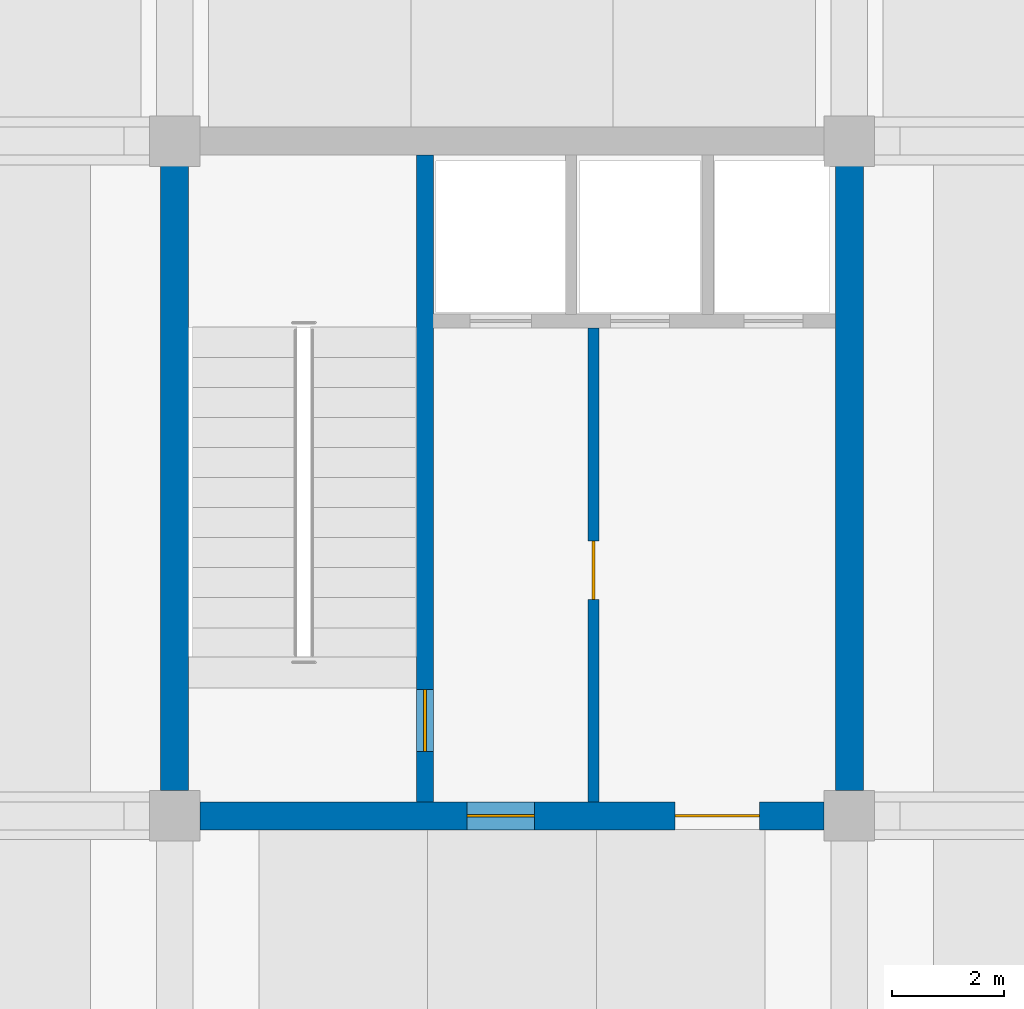
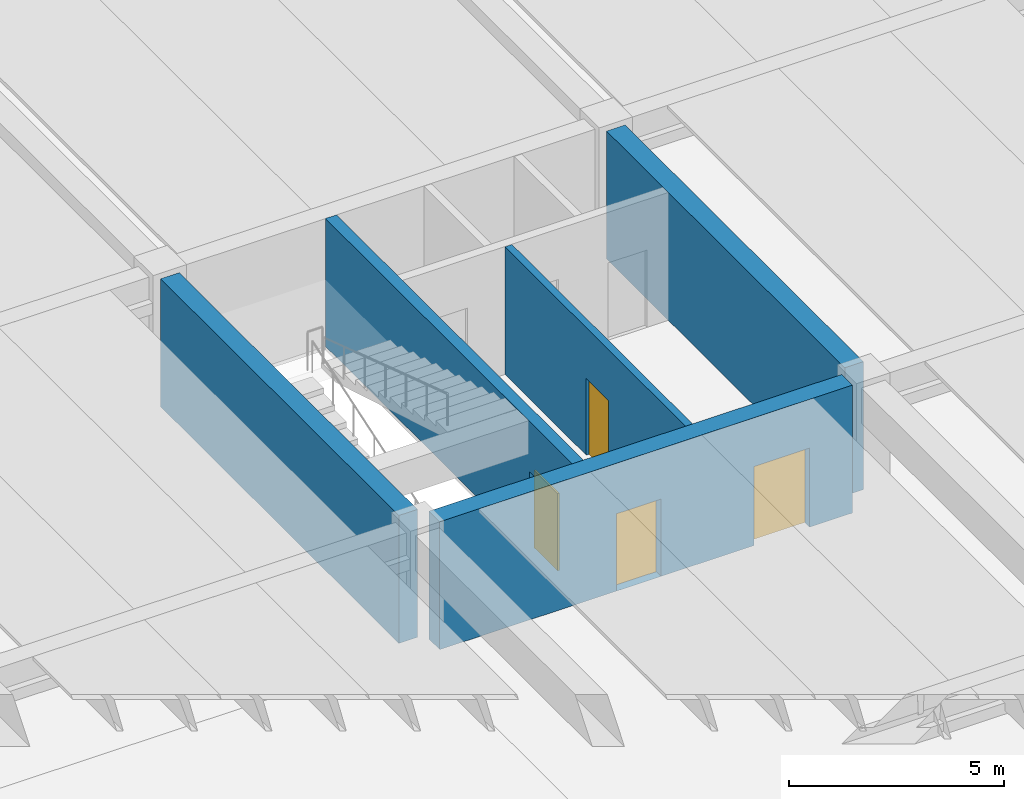
# One storey, part 9 of 19: 5 walls, 4 doors, 4 openings.
"""IFC4 building model written with IfcOpenShell, lengths in metres."""

from ifc_helpers import new_model, si_unit, direction, frame, frame_2d, origin, place, context, subcontext, project, spatial, rectangle, extrude, material, layer, layer_set, type_object, element, fill, save


model = new_model("IFC4")

# Units and contexts
model_context = context("Model", 3, precision=1e-05, world=origin(), true_north=direction((0.0, 1.0)))
body_context = subcontext(model_context, "Body", "Model", "MODEL_VIEW")
ifc_project = project(units=[si_unit("LENGTHUNIT", "METRE"), si_unit("AREAUNIT", "SQUARE_METRE"), si_unit("VOLUMEUNIT", "CUBIC_METRE"), si_unit("PLANEANGLEUNIT", "RADIAN"), si_unit("MASSUNIT", "GRAM", prefix="KILO")], contexts=[model_context])

# Site, building, storey
site_placement = place(None, origin())
site = spatial("IfcSite", under=ifc_project, at=site_placement, CompositionType="ELEMENT")
building_placement = place(site_placement, origin())
building = spatial("IfcBuilding", under=site, at=building_placement, Name="Girod Span Mobility Hub", CompositionType="ELEMENT")
storey_placement = place(building_placement, frame((0.0, 0.0, 9.60009765625)))
storey = spatial("IfcBuildingStorey", under=building, at=storey_placement, Name="L02", CompositionType="ELEMENT", Elevation=9.60009765625)

# Wall, openings, doors
ifc_material_1 = material(Name="Concrete C40/50", Category="concrete")
ifc_layer_1 = layer(ifc_material_1, 0.5)
ifc_layer_set_1 = layer_set([ifc_layer_1], Name="Concrete C40/50")
wall_type_1 = type_object("IfcWallType", Name="W-CW-500", PredefinedType="SHEAR", material=ifc_layer_set_1)
wall_1_placement = place(storey_placement, frame((108.447021484375, 57.0, 0.0), z_axis=(0.0, 0.0, 1.0), x_axis=(1.0, 0.0, 0.0)))
wall_1 = element("IfcWall", 1, at=wall_1_placement, inside=storey, type_object=wall_type_1, Name="Core C2 Shear Wall S L02", PredefinedType="SHEAR", context=body_context, shape_type="SweptSolid", body=[
    extrude(rectangle(XDim=11.10595703125, YDim=0.5, at=frame_2d((5.552978515625, 0.0))), origin(), (0.0, 0.0, 1.0), 3.637939453125),
])
opening_1_placement = place(wall_1_placement, frame((4.7529296875, 0.0, 0.0)))
opening_1 = element("IfcOpeningElement", 2, at=opening_1_placement, cuts=wall_1, Name="Opening D-FL-C2-L02", PredefinedType="OPENING", context=body_context, shape_type="SweptSolid", body=[
    extrude(rectangle(XDim=1.199951171875, YDim=2.199951171875, at=frame_2d((0.60009765625, 1.10009765625))), frame((0.0, 0.264892578125, 0.0), z_axis=(0.0, -1.0, 0.0), x_axis=(1.0, 0.0, 0.0)), (0.0, 0.0, 1.0), 0.530029296875),
])
opening_2_placement = place(wall_1_placement, frame((8.452880859375, 0.0, 0.0)))
opening_2 = element("IfcOpeningElement", 3, at=opening_2_placement, cuts=wall_1, Name="Opening D-LB-C2-L02", PredefinedType="OPENING", context=body_context, shape_type="SweptSolid", body=[
    extrude(rectangle(XDim=1.5, YDim=2.25, at=frame_2d((0.75, 1.125))), frame((0.0, 0.264892578125, 0.0), z_axis=(0.0, -1.0, 0.0), x_axis=(1.0, 0.0, 0.0)), (0.0, 0.0, 1.0), 0.530029296875),
])
ifc_material_2 = material(Name="Fire-Rated Insulated Hollow Metal Steel", Category="steel")
door_type_1 = type_object("IfcDoorType", Name="DT-FD-03", OperationType="DOUBLE_DOOR_SINGLE_SWING", PredefinedType="DOOR", material=ifc_material_2)
door_1_placement = place(opening_2_placement, origin())
door_1 = element("IfcDoor", 4, at=door_1_placement, inside=storey, type_object=door_type_1, Name="Lift Lobby Entry Door C2 L02", OperationType="DOUBLE_DOOR_SINGLE_SWING", OverallHeight=2.25, OverallWidth=1.5, PredefinedType="DOOR", context=body_context, shape_type="SweptSolid", body=[
    extrude(rectangle(XDim=1.5, YDim=2.25, at=frame_2d((0.75, 1.125))), frame((0.0, 0.02490234375, 0.0), z_axis=(0.0, -1.0, 0.0), x_axis=(1.0, 0.0, 0.0)), (0.0, 0.0, 1.0), 0.050048828125),
])
fill(opening_2, door_1)
ifc_material_3 = material(Name="Fire-Rated Insulated Hollow Metal Steel", Category="steel")
door_type_2 = type_object("IfcDoorType", Name="DT-FD-05", OperationType="NOTDEFINED", PredefinedType="DOOR", material=ifc_material_3)
door_2_placement = place(opening_1_placement, origin())
door_2 = element("IfcDoor", 5, at=door_2_placement, inside=storey, type_object=door_type_2, Name="Firefighting Lobby Entry Door C2 L02", OperationType="SINGLE_SWING_RIGHT", OverallHeight=2.199951171875, OverallWidth=1.199951171875, PredefinedType="DOOR", context=body_context, shape_type="SweptSolid", body=[
    extrude(rectangle(XDim=1.199951171875, YDim=2.199951171875, at=frame_2d((0.60009765625, 1.10009765625))), frame((0.0, 0.02490234375, 0.0), z_axis=(0.0, -1.0, 0.0), x_axis=(1.0, 0.0, 0.0)), (0.0, 0.0, 1.0), 0.050048828125),
])
fill(opening_1, door_2)

# Walls
for number, where, z_axis, x_axis, name in (
    (6, (108.0, 57.447021484375, 0.0), (0.0, 0.0, 1.0), (0.0, 1.0, 0.0), "Core C2 Shear Wall W L02"),
    (7, (120.0, 57.447021484375, 0.0), (0.0, 0.0, 1.0), (0.0, 1.0, 0.0), "Core C2 Shear Wall E L02"),
):
    element("IfcWall", number, at=place(storey_placement, frame(where, z_axis=z_axis, x_axis=x_axis)), inside=storey, type_object=wall_type_1, Name=name, PredefinedType="SHEAR", context=body_context, shape_type="SweptSolid", body=[
        extrude(rectangle(XDim=11.10595703125, YDim=0.5, at=frame_2d((5.552978515625, 0.0))), origin(), (0.0, 0.0, 1.0), 3.637939453125),
    ])

# Wall, opening, door
ifc_material_4 = material(Name="Concrete C40/50", Category="concrete")
ifc_layer_2 = layer(ifc_material_4, 0.18994140625)
ifc_layer_set_2 = layer_set([ifc_layer_2], Name="Concrete C40/50")
wall_type_2 = type_object("IfcWallType", Name="W-FL-190", PredefinedType="SOLIDWALL", material=ifc_layer_set_2)
wall_2_placement = place(storey_placement, frame((115.449951171875, 57.25, 0.0), z_axis=(0.0, 0.0, 1.0), x_axis=(0.0, 1.0, 0.0)))
wall_2 = element("IfcWall", 8, at=wall_2_placement, inside=storey, type_object=wall_type_2, Name="Core C2 Firefighting Lobby Wall L02", PredefinedType="SOLIDWALL", context=body_context, shape_type="SweptSolid", body=[
    extrude(rectangle(XDim=8.429931640625, YDim=0.18994140625, at=frame_2d((4.21484375, 0.0))), origin(), (0.0, 0.0, 1.0), 3.6279296875),
])
opening_3_placement = place(wall_2_placement, frame((3.60009765625, 0.0, 0.0)))
opening_3 = element("IfcOpeningElement", 9, at=opening_3_placement, cuts=wall_2, Name="Opening D-FLX-C2-L02", PredefinedType="OPENING", context=body_context, shape_type="SweptSolid", body=[
    extrude(rectangle(XDim=1.0400390625, YDim=2.179931640625, at=frame_2d((0.52001953125, 1.08984375))), frame((0.0, 0.10986328125, 0.0), z_axis=(0.0, -1.0, 0.0), x_axis=(1.0, 0.0, 0.0)), (0.0, 0.0, 1.0), 0.219970703125),
])
ifc_material_5 = material(Name="Fire-Rated Insulated Hollow Metal Steel", Category="steel")
door_type_3 = type_object("IfcDoorType", Name="DT-FD-02", OperationType="NOTDEFINED", PredefinedType="DOOR", material=ifc_material_5)
door_3_placement = place(opening_3_placement, origin())
door_3 = element("IfcDoor", 10, at=door_3_placement, inside=storey, type_object=door_type_3, Name="Firefighting Lobby Interconnect Door C2 L02", OperationType="SINGLE_SWING_RIGHT", OverallHeight=2.179931640625, OverallWidth=1.0400390625, PredefinedType="DOOR", context=body_context, shape_type="SweptSolid", body=[
    extrude(rectangle(XDim=1.0400390625, YDim=2.179931640625, at=frame_2d((0.52001953125, 1.08984375))), frame((0.0, 0.02490234375, 0.0), z_axis=(0.0, -1.0, 0.0), x_axis=(1.0, 0.0, 0.0)), (0.0, 0.0, 1.0), 0.050048828125),
])
fill(opening_3, door_3)

ifc_material_6 = material(Name="Concrete C40/50", Category="concrete")
ifc_layer_3 = layer(ifc_material_6, 0.300048828125)
ifc_layer_set_3 = layer_set([ifc_layer_3], Name="Concrete C40/50")
wall_type_3 = type_object("IfcWallType", Name="W-SH-300", PredefinedType="SHEAR", material=ifc_layer_set_3)
wall_3_placement = place(storey_placement, frame((112.449951171875, 57.2470703125, 0.0), z_axis=(0.0, 0.0, 1.0), x_axis=(0.0, 1.0, 0.0)))
wall_3 = element("IfcWall", 11, at=wall_3_placement, inside=storey, type_object=wall_type_3, Name="Core C2 Stairwell Spine Wall L02", PredefinedType="SHEAR", context=body_context, shape_type="SweptSolid", body=[
    extrude(rectangle(XDim=11.505859375, YDim=0.300048828125, at=frame_2d((5.7529296875, 0.0))), origin(), (0.0, 0.0, 1.0), 3.637939453125),
])
opening_4_placement = place(wall_3_placement, frame((0.89990234375, 0.0, 0.0)))
opening_4 = element("IfcOpeningElement", 12, at=opening_4_placement, cuts=wall_3, Name="Opening D-ST-2-L02", PredefinedType="OPENING", context=body_context, shape_type="SweptSolid", body=[
    extrude(rectangle(XDim=1.10009765625, YDim=2.199951171875, at=frame_2d((0.550048828125, 1.10009765625))), frame((0.0, 0.1650390625, 0.0), z_axis=(0.0, -1.0, 0.0), x_axis=(1.0, 0.0, 0.0)), (0.0, 0.0, 1.0), 0.330078125),
])
ifc_material_7 = material(Name="Fire-Rated Insulated Hollow Metal Steel", Category="steel")
door_type_4 = type_object("IfcDoorType", Name="DT-FD-01", OperationType="NOTDEFINED", PredefinedType="DOOR", material=ifc_material_7)
door_4_placement = place(opening_4_placement, origin())
door_4 = element("IfcDoor", 13, at=door_4_placement, inside=storey, type_object=door_type_4, Name="Stair ST-2 Fire Door L02", OperationType="SINGLE_SWING_LEFT", OverallHeight=2.199951171875, OverallWidth=1.10009765625, PredefinedType="DOOR", context=body_context, shape_type="SweptSolid", body=[
    extrude(rectangle(XDim=1.10009765625, YDim=2.199951171875, at=frame_2d((0.550048828125, 1.10009765625))), frame((0.0, 0.02490234375, 0.0), z_axis=(0.0, -1.0, 0.0), x_axis=(1.0, 0.0, 0.0)), (0.0, 0.0, 1.0), 0.050048828125),
])
fill(opening_4, door_4)

save(model, "model.ifc")
